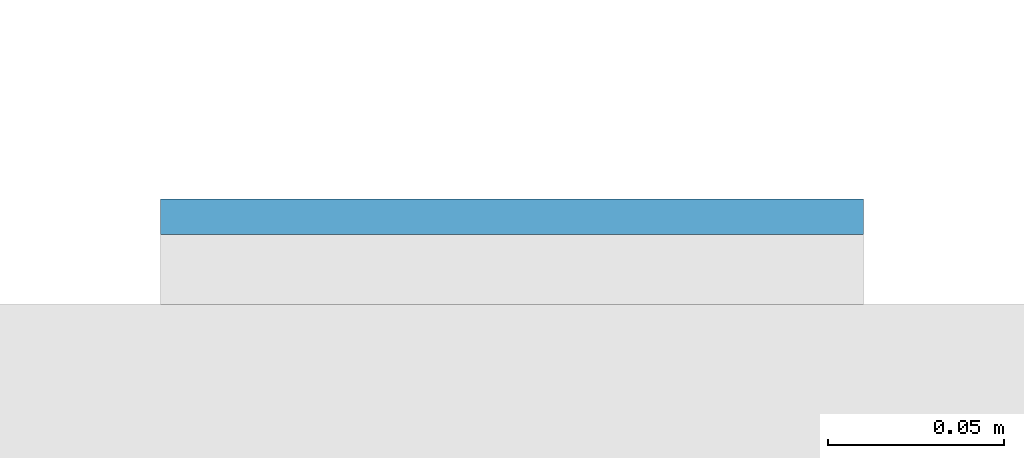
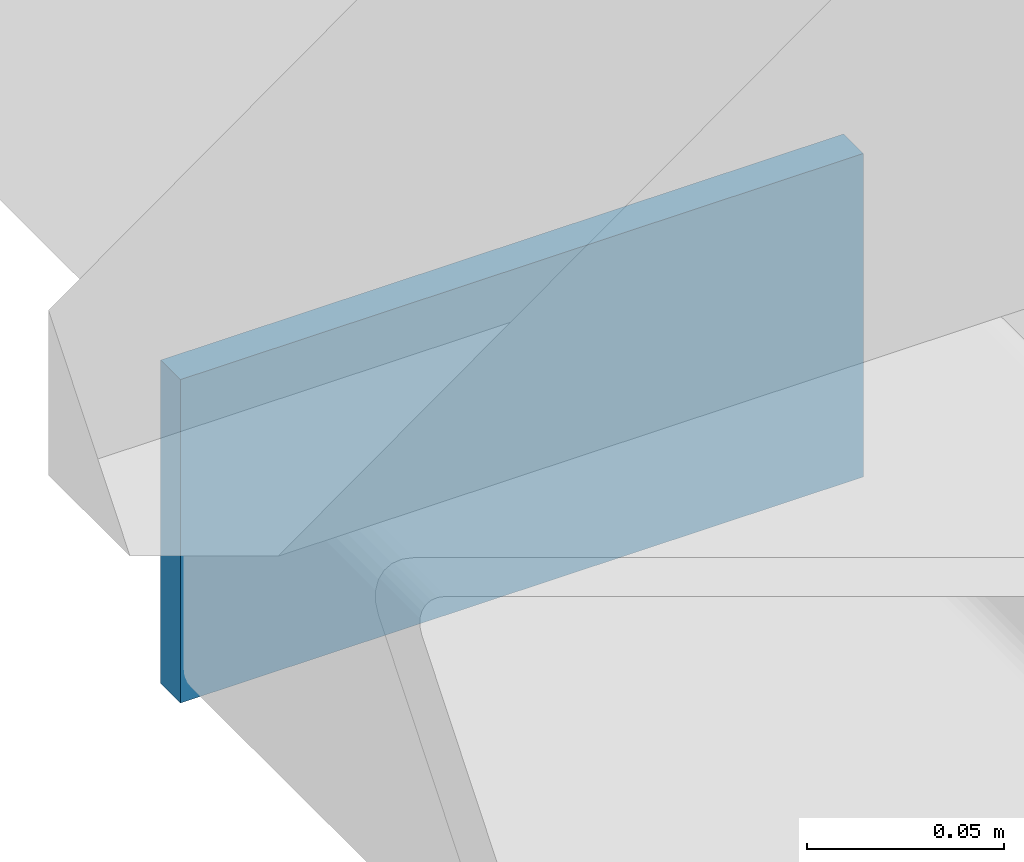
# One storey, part 10 of 17: 1 plate.
"""IFC4 building model written with IfcOpenShell, lengths in metres."""

import ifcopenshell
import ifcopenshell.guid

model = None  # the IFC model being written
_history = None  # IfcOwnerHistory: only IFC2X3 demands one
_inside = {}  # id of a spatial element -> (the spatial element, [elements in it])
_under = {}  # id of a project, library or spatial element -> (it, [spatial elements below it])
_declared = {}  # id of a project -> (the project, [libraries it declares])
_typed = {}  # id of a type object -> (the type object, [elements of that type])
_made_of = {}  # id of a material, layer set ... -> (it, [elements and type objects made of it])


def new_model(schema):
    """Start an empty IFC model of exactly this schema.

    Asked for "IFC4X3", IfcOpenShell would pick the latest addendum, in which some entities
    have other attributes; the version numbers below select the first issue.
    IFC2X3 requires an IfcOwnerHistory on every rooted entity: one is made here for all.
    """
    global model, _history
    if schema == "IFC4X3":
        model = ifcopenshell.file(schema_version=(4, 3, 0, 0))
    else:
        model = ifcopenshell.file(schema=schema)
    _inside.clear()
    _under.clear()
    _declared.clear()
    _typed.clear()
    _made_of.clear()
    _history = None
    if model.schema == "IFC2X3":
        org = make("IfcOrganization", Name="unknown")
        user = make(
            "IfcPersonAndOrganization",
            ThePerson=make("IfcPerson", FamilyName="unknown"),
            TheOrganization=org,
        )
        app = make(
            "IfcApplication",
            ApplicationDeveloper=org,
            Version="unknown",
            ApplicationFullName="unknown",
            ApplicationIdentifier="unknown",
        )
        _history = make(
            "IfcOwnerHistory",
            OwningUser=user,
            OwningApplication=app,
            ChangeAction="ADDED",
            CreationDate=0,
        )
    return model


def make(cls, **values):
    """One entity of the class cls with the attributes given. An attribute that is None is left unset."""
    return model.create_entity(
        cls, **{name: value for name, value in values.items() if value is not None}
    )


def rooted(cls, **values):
    """An entity with a GlobalId (a new one), such as an element, a storey or a relation."""
    return make(cls, GlobalId=ifcopenshell.guid.new(), OwnerHistory=_history, **values)


def si_unit(unit_type, name, prefix=None):
    """IfcSIUnit, for example si_unit("LENGTHUNIT", "METRE", prefix="MILLI")."""
    return make("IfcSIUnit", UnitType=unit_type, Prefix=prefix, Name=name)


def assignment(units):
    """IfcUnitAssignment: the units of a project."""
    return None if units is None else make("IfcUnitAssignment", Units=units)


def point(xyz):
    """IfcCartesianPoint."""
    return None if xyz is None else make("IfcCartesianPoint", Coordinates=xyz)


def direction(xyz):
    """IfcDirection."""
    return None if xyz is None else make("IfcDirection", DirectionRatios=xyz)


def frame(location, z_axis=None, x_axis=None):
    """IfcAxis2Placement3D, a coordinate frame: its origin and axes. An axis left out is left unset."""
    return make(
        "IfcAxis2Placement3D",
        Location=point(location),
        Axis=direction(z_axis),
        RefDirection=direction(x_axis),
    )


def frame_2d(location, x_axis=None):
    """IfcAxis2Placement2D, a coordinate frame in the plane: its origin and x axis."""
    return make(
        "IfcAxis2Placement2D", Location=point(location), RefDirection=direction(x_axis)
    )


def origin():
    """The frame at (0, 0, 0) with its axes left unset."""
    return frame((0.0, 0.0, 0.0))


def origin_2d():
    """The frame at (0, 0) in the plane with its x axis left unset."""
    return frame_2d((0.0, 0.0))


def place(relative_to, where):
    """IfcLocalPlacement: puts the frame where relative to a parent placement (None: the world)."""
    return make(
        "IfcLocalPlacement", PlacementRelTo=relative_to, RelativePlacement=where
    )


def context(
    kind, dimensions, precision=None, world=None, true_north=None, identifier=None
):
    """IfcGeometricRepresentationContext, for example the 3D "Model" context."""
    return make(
        "IfcGeometricRepresentationContext",
        ContextIdentifier=identifier,
        ContextType=kind,
        CoordinateSpaceDimension=dimensions,
        Precision=precision,
        WorldCoordinateSystem=world,
        TrueNorth=true_north,
    )


def subcontext(parent, identifier, kind, view, scale=None):
    """IfcGeometricRepresentationSubContext, for example "Body" below "Model"."""
    return make(
        "IfcGeometricRepresentationSubContext",
        ContextIdentifier=identifier,
        ContextType=kind,
        ParentContext=parent,
        TargetScale=scale,
        TargetView=view,
    )


def project(units=None, contexts=None):
    """IfcProject with its units and contexts."""
    return rooted(
        "IfcProject",
        Name="project",
        RepresentationContexts=contexts,
        UnitsInContext=assignment(units),
    )


def spatial(cls, under=None, at=None, **own):
    """A site, building, storey or space (cls), placed at a placement, below another one or the project."""
    s = rooted(cls, ObjectPlacement=at, **own)
    if under is not None:
        _under.setdefault(under.id(), (under, []))[1].append(s)
    return s


def profile(cls, at=None, kind="AREA", **sizes):
    """A parametric profile (cls). Its sizes go by their IFC names, for example OverallWidth=200.0."""
    return make(cls, ProfileType=kind, Position=at, **sizes)


def rectangle(**sizes):
    """IfcRectangleProfileDef."""
    return profile("IfcRectangleProfileDef", **sizes)


def extrude(swept, where, along, depth):
    """IfcExtrudedAreaSolid: the profile swept, set in the frame where, extruded along a direction by depth."""
    return make(
        "IfcExtrudedAreaSolid",
        SweptArea=swept,
        Position=where,
        ExtrudedDirection=direction(along),
        Depth=depth,
    )


def shape(context_of_items, identifier, shape_type, items):
    """IfcShapeRepresentation: the items that make up one representation, for example the "Body"."""
    return make(
        "IfcShapeRepresentation",
        ContextOfItems=context_of_items,
        RepresentationIdentifier=identifier,
        RepresentationType=shape_type,
        Items=items,
    )


def material(Name=None, Category=None):
    """IfcMaterial."""
    return make("IfcMaterial", Name=Name, Category=Category)


def layer(
    of_material, thickness, ventilated=None, Name=None, Category=None, Priority=None
):
    """IfcMaterialLayer: one layer of a wall or slab, of a material (None: an air gap)."""
    return make(
        "IfcMaterialLayer",
        Material=of_material,
        LayerThickness=thickness,
        IsVentilated=ventilated,
        Name=Name,
        Category=Category,
        Priority=Priority,
    )


def layer_set(layers, Name=None):
    """IfcMaterialLayerSet."""
    return make("IfcMaterialLayerSet", MaterialLayers=layers, LayerSetName=Name)


def made_of(thing, what):
    """Note that an element or type object is made of a material, layer set ...; save() writes the relation."""
    if what is not None:
        _made_of.setdefault(what.id(), (what, []))[1].append(thing)
    return thing


def type_object(cls, material=None, **own):
    """A type object (cls), such as IfcWallType, which elements share."""
    return made_of(rooted(cls, **own), material)


def element(
    cls,
    number,
    at=None,
    inside=None,
    cuts=None,
    type_object=None,
    material=None,
    context=None,
    identifier="Body",
    shape_type=None,
    held_by="IfcProductDefinitionShape",
    body=None,
    shapes=None,
    **own,
):
    """One element of the class cls, such as IfcWall. Its Tag is "e" and its number.

    at: its placement. inside: the storey or other place that contains it. cuts: it is an
    opening in that element (IfcRelVoidsElement). A single representation is given by context,
    identifier, shape_type and body (its items); several are given by shapes. held_by: the class
    of the entity that holds the representations. save() writes the other relations.
    """
    e = rooted(cls, Tag="e%d" % number, ObjectPlacement=at, **own)
    if body is not None:
        shapes = [shape(context, identifier, shape_type, body)]
    if shapes is not None:
        e.Representation = make(held_by, Representations=shapes)
    if inside is not None:
        _inside.setdefault(inside.id(), (inside, []))[1].append(e)
    if cuts is not None:
        rooted(
            "IfcRelVoidsElement", RelatingBuildingElement=cuts, RelatedOpeningElement=e
        )
    if type_object is not None:
        _typed.setdefault(type_object.id(), (type_object, []))[1].append(e)
    return made_of(e, material)


def aggregate(whole, parts):
    """IfcRelAggregates: a whole, such as a stair, and the parts it consists of."""
    return rooted("IfcRelAggregates", RelatingObject=whole, RelatedObjects=parts)


def save(model, path):
    """Write the relations noted so far, then the file.

    IfcRelAggregates (storeys below a building ...), IfcRelContainedInSpatialStructure (elements
    in a storey), IfcRelDefinesByType, IfcRelAssociatesMaterial and IfcRelDeclares: one each for
    every whole, place, type object, material and project.
    """
    for whole, parts in _under.values():
        aggregate(whole, parts)
    for where, things in _inside.values():
        rooted(
            "IfcRelContainedInSpatialStructure",
            RelatedElements=things,
            RelatingStructure=where,
        )
    for kind, things in _typed.values():
        rooted("IfcRelDefinesByType", RelatedObjects=things, RelatingType=kind)
    for what, things in _made_of.values():
        rooted("IfcRelAssociatesMaterial", RelatedObjects=things, RelatingMaterial=what)
    for by, libraries in _declared.values():
        rooted("IfcRelDeclares", RelatingContext=by, RelatedDefinitions=libraries)
    model.write(path)


model = new_model("IFC4")

# Units and contexts
model_context = context("Model", 3, precision=1e-05, world=origin(), true_north=direction((0.0, 1.0)))
body_context = subcontext(model_context, "Body", "Model", "MODEL_VIEW")
ifc_project = project(units=[si_unit("LENGTHUNIT", "METRE"), si_unit("AREAUNIT", "SQUARE_METRE"), si_unit("VOLUMEUNIT", "CUBIC_METRE"), si_unit("PLANEANGLEUNIT", "RADIAN"), si_unit("MASSUNIT", "GRAM", prefix="KILO")], contexts=[model_context])

# Site, building, storey
site_placement = place(None, origin())
site = spatial("IfcSite", under=ifc_project, at=site_placement, CompositionType="ELEMENT")
building_placement = place(site_placement, origin())
building = spatial("IfcBuilding", under=site, at=building_placement, Name="Cleftline Residences", CompositionType="ELEMENT")
storey_placement = place(building_placement, frame((0.0, 0.0, 90.800048828125)))
storey = spatial("IfcBuildingStorey", under=building, at=storey_placement, Name="L23", CompositionType="ELEMENT", Elevation=90.800048828125)

# Plate
ifc_material = material(Name="Steel S355, hot-dip galvanised", Category="steel")
ifc_layer = layer(ifc_material, 0.010009765625)
ifc_layer_set = layer_set([ifc_layer], Name="BAGUETTE CARRIER END PLATE 200X100X10")
plate_type = type_object("IfcPlateType", Name="BAGUETTE CARRIER END PLATE 200X100X10", PredefinedType="USERDEFINED", material=ifc_layer_set)
plate_placement = place(storey_placement, frame((-0.85009765625, 44.304931640625, -0.10009765625), z_axis=(0.0, 0.0, 1.0), x_axis=(-1.0, 0.0, 0.0)))
element("IfcPlate", 1, at=plate_placement, inside=storey, type_object=plate_type, Name="Baguette carrier end plate", ObjectType="BAGUETTE CARRIER END PLATE", PredefinedType="USERDEFINED", context=body_context, shape_type="SweptSolid", body=[
    extrude(rectangle(XDim=0.199951171875, YDim=0.010009765625, at=origin_2d()), origin(), (0.0, 0.0, 1.0), 0.10009765625),
])

save(model, "model.ifc")
